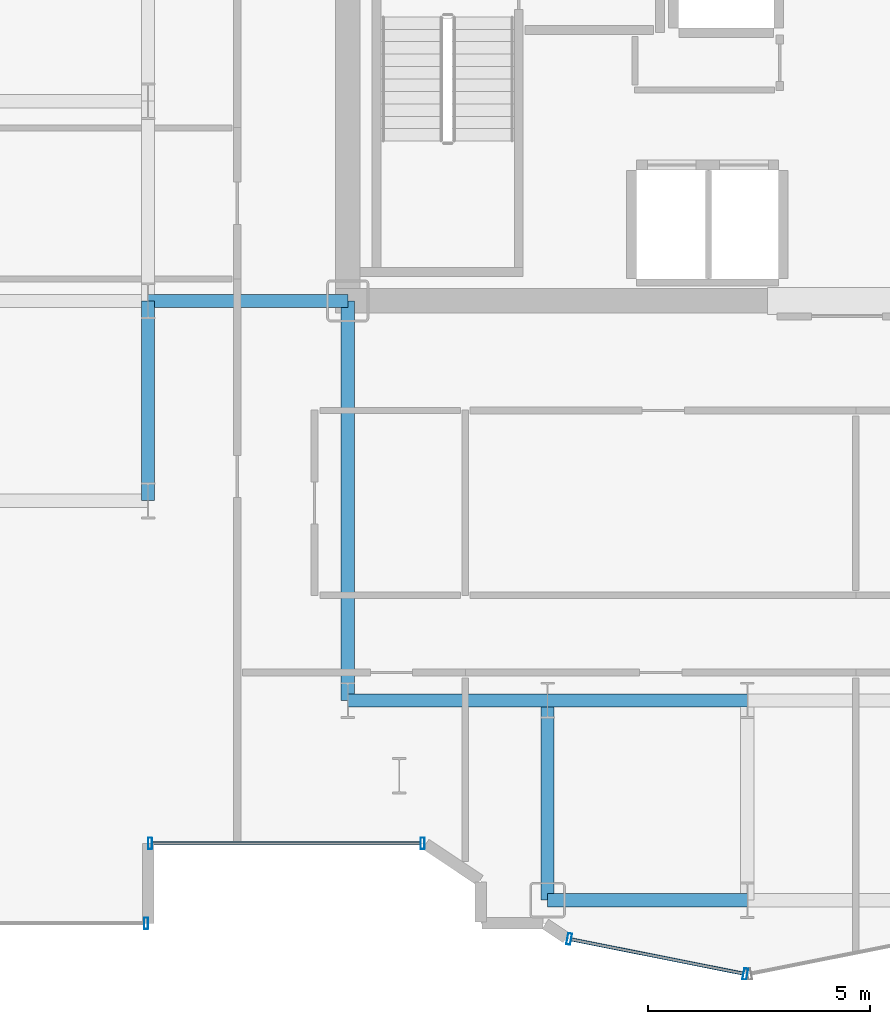
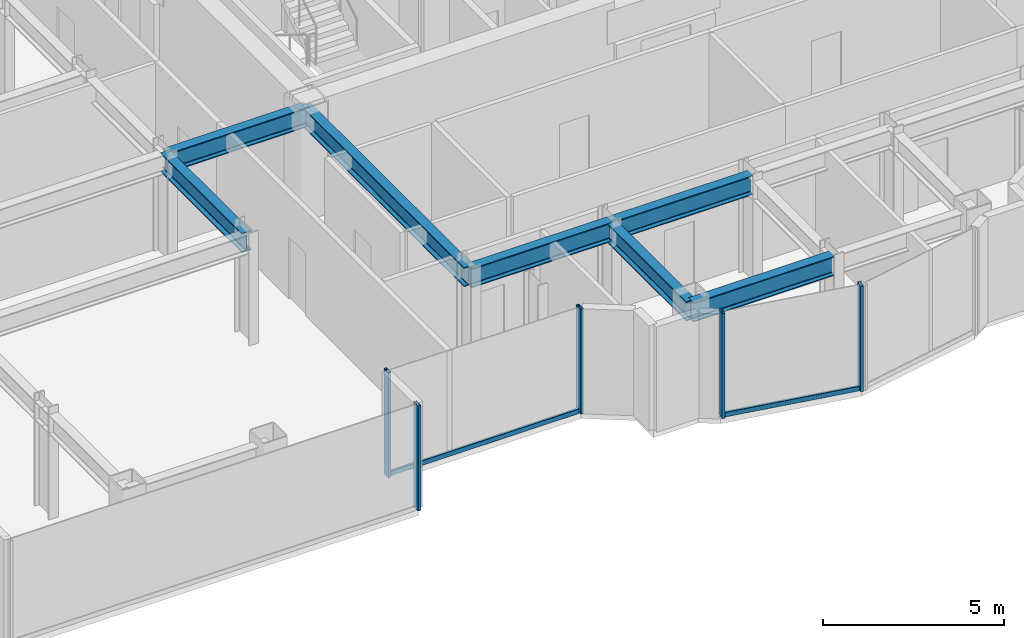
# One storey, part 5 of 26: 7 beams, 7 members, 3 elements without a shape of their own.
"""IFC4 building model written with IfcOpenShell, lengths in metres."""

from ifc_helpers import new_model, si_unit, direction, frame, origin, origin_2d, place, context, subcontext, project, spatial, hollow_rectangle, i_section, extrude, source, transform, mapped, material, layer, layer_set, material_profile, profile_set, type_object, element, aggregate, save


model = new_model("IFC4")

# Units and contexts
model_context = context("Model", 3, precision=1e-05, world=origin(), true_north=direction((0.0, 1.0)))
body_context = subcontext(model_context, "Body", "Model", "MODEL_VIEW")
ifc_project = project(units=[si_unit("LENGTHUNIT", "METRE"), si_unit("AREAUNIT", "SQUARE_METRE"), si_unit("VOLUMEUNIT", "CUBIC_METRE"), si_unit("PLANEANGLEUNIT", "RADIAN"), si_unit("MASSUNIT", "GRAM", prefix="KILO")], contexts=[model_context])

# Site, building, storey
site_placement = place(None, origin())
site = spatial("IfcSite", under=ifc_project, at=site_placement, CompositionType="ELEMENT")
building_placement = place(site_placement, origin())
building = spatial("IfcBuilding", under=site, at=building_placement, Name="Nefas-Gora Pilgrimage Tower", CompositionType="ELEMENT")
storey_placement = place(building_placement, frame((0.0, 0.0, 160.199951171875)))
storey = spatial("IfcBuildingStorey", under=building, at=storey_placement, Name="L39", CompositionType="ELEMENT", Elevation=160.199951171875)

# Beams
ifc_material_1 = material(Name="Steel S355", Category="steel")
ifc_material_profile_1 = material_profile(ifc_material_1, i_section(OverallWidth=0.300048828125, OverallDepth=0.64990234375, WebThickness=0.01611328125, FlangeThickness=0.031005859375, FilletRadius=0.027099609375, at=origin_2d()), Name="HEB 650")
ifc_profile_set_1 = profile_set([ifc_material_profile_1], Name="Steel S355")
beam_type = type_object("IfcBeamType", Name="BM-GIR-HEB650", PredefinedType="BEAM", material=ifc_profile_set_1)
shared_shape_1 = source(origin(), body_context, "Body", "SweptSolid", [
    extrude(i_section(OverallWidth=0.300048828125, OverallDepth=0.64990234375, WebThickness=0.01611328125, FlangeThickness=0.031005859375, FilletRadius=0.027099609375, at=origin_2d()), origin(), (0.0, 0.0, 1.0), 9.0),
])
beam_placement = place(storey_placement, frame((-11.25, -18.0, 3.22509765625), z_axis=(0.0, 1.0, 0.0), x_axis=(-1.0, 0.0, 0.0)))
element("IfcBeam", 1, at=beam_placement, inside=storey, type_object=beam_type, Name="L39 G-03 beam", PredefinedType="BEAM", context=body_context, shape_type="MappedRepresentation", body=[
    mapped(shared_shape_1, transform((0.0, 0.0, 0.0), x_axis=(1.0, 0.0, 0.0), y_axis=(0.0, 1.0, 0.0), z_axis=(0.0, 0.0, 1.0), scale=1.0)),
])
shared_shape_2 = source(origin(), body_context, "Body", "SweptSolid", [
    extrude(i_section(OverallWidth=0.300048828125, OverallDepth=0.64990234375, WebThickness=0.01611328125, FlangeThickness=0.031005859375, FilletRadius=0.027099609375, at=origin_2d()), origin(), (0.0, 0.0, 1.0), 4.5),
])
for number, where, z_axis, x_axis, name in (
    (2, (-15.75, -13.5, 3.22509765625), (0.0, 1.0, 0.0), (-1.0, 0.0, 0.0), "L39 G-03 beam"),
    (3, (-15.75, -9.0, 3.22509765625), (1.0, 0.0, 0.0), (0.0, 1.0, 0.0), "L39 G-03 beam"),
    (4, (-11.25, -18.0, 3.22509765625), (1.0, 0.0, 0.0), (0.0, 1.0, 0.0), "L39 G-03 beam"),
    (5, (-6.75, -22.5, 3.22509765625), (0.0, 1.0, 0.0), (-1.0, 0.0, 0.0), "L39 G-03 beam"),
    (6, (-6.75, -22.5, 3.22509765625), (1.0, 0.0, 0.0), (0.0, 1.0, 0.0), "L39 G-03 beam"),
    (7, (-6.75, -18.0, 3.22509765625), (1.0, 0.0, 0.0), (0.0, 1.0, 0.0), "L39 G-03 beam"),
):
    element("IfcBeam", number, at=place(storey_placement, frame(where, z_axis=z_axis, x_axis=x_axis)), inside=storey, type_object=beam_type, Name=name, PredefinedType="BEAM", context=body_context, shape_type="MappedRepresentation", body=[
        mapped(shared_shape_2, transform((0.0, 0.0, 0.0), x_axis=(1.0, 0.0, 0.0), y_axis=(0.0, 1.0, 0.0), z_axis=(0.0, 0.0, 1.0), scale=1.0)),
    ])

# Curtain wall, members
ifc_material_2 = material(Name="Dark ceramic-fritted solar-control aluminium-glass curtain wall", Category="aluminium")
ifc_layer_1 = layer(ifc_material_2, 0.219970703125)
ifc_layer_set_1 = layer_set([ifc_layer_1], Name="Dark ceramic-fritted solar-control aluminium-glass curtain wall")
curtain_wall_type_1 = type_object("IfcCurtainWallType", Name="CW-SYS-5", PredefinedType="NOTDEFINED", material=ifc_layer_set_1)
curtain_wall_1_placement = place(storey_placement, origin())
curtain_wall_1 = element("IfcCurtainWall", 8, at=curtain_wall_1_placement, inside=storey, type_object=curtain_wall_type_1, Name="L39 Unitised Curtain Wall CW5", PredefinedType="NOTDEFINED")
ifc_material_3 = material(Name="Anodised architectural aluminium", Category="aluminium")
ifc_material_profile_2 = material_profile(ifc_material_3, hollow_rectangle(XDim=0.090087890625, YDim=0.260009765625, WallThickness=0.006103515625, InnerFilletRadius=0.006103515625, OuterFilletRadius=0.011962890625, at=origin_2d()), Name="ALU MULLION 90x260")
ifc_profile_set_2 = profile_set([ifc_material_profile_2], Name="Anodised architectural aluminium")
member_type_1 = type_object("IfcMemberType", Name="CWM-MUL-5", PredefinedType="MULLION", material=ifc_profile_set_2)
shared_shape_3 = source(origin(), body_context, "Body", "SweptSolid", [
    extrude(hollow_rectangle(XDim=0.090087890625, YDim=0.260009765625, WallThickness=0.006103515625, InnerFilletRadius=0.006103515625, OuterFilletRadius=0.011962890625, at=origin_2d()), origin(), (0.0, 0.0, 1.0), 3.550048828125),
])
member_1_placement = place(storey_placement, frame((-15.705078125, -21.219970703125, 0.0), z_axis=(0.0, 0.0, 1.0), x_axis=(1.0, 0.0, 0.0)))
member_1 = element("IfcMember", 9, at=member_1_placement, type_object=member_type_1, Name="CW5 Mullion 1", PredefinedType="MULLION", context=body_context, shape_type="MappedRepresentation", body=[
    mapped(shared_shape_3, transform((0.0, 0.0, 0.0), x_axis=(1.0, 0.0, 0.0), y_axis=(0.0, 1.0, 0.0), z_axis=(0.0, 0.0, 1.0), scale=1.0)),
])
member_2_placement = place(storey_placement, frame((-9.56298828125, -21.219970703125, 0.0), z_axis=(0.0, 0.0, 1.0), x_axis=(1.0, 0.0, 0.0)))
member_2 = element("IfcMember", 10, at=member_2_placement, type_object=member_type_1, Name="CW5 Mullion 2", PredefinedType="MULLION", context=body_context, shape_type="MappedRepresentation", body=[
    mapped(shared_shape_3, transform((0.0, 0.0, 0.0), x_axis=(1.0, 0.0, 0.0), y_axis=(0.0, 1.0, 0.0), z_axis=(0.0, 0.0, 1.0), scale=1.0)),
])

curtain_wall_2_placement = place(storey_placement, origin())
curtain_wall_2 = element("IfcCurtainWall", 11, at=curtain_wall_2_placement, inside=storey, type_object=curtain_wall_type_1, Name="L39 Unitised Curtain Wall CW5", PredefinedType="NOTDEFINED")
member_3_placement = place(storey_placement, frame((-6.26318359375, -23.3740234375, 0.0), z_axis=(0.0, 0.0, 1.0), x_axis=(0.980782896852, -0.195102304554, 0.0)))
member_3 = element("IfcMember", 12, at=member_3_placement, type_object=member_type_1, Name="CW5 Mullion 1", PredefinedType="MULLION", context=body_context, shape_type="MappedRepresentation", body=[
    mapped(shared_shape_3, transform((0.0, 0.0, 0.0), x_axis=(1.0, 0.0, 0.0), y_axis=(0.0, 1.0, 0.0), z_axis=(0.0, 0.0, 1.0), scale=1.0)),
])
member_4_placement = place(storey_placement, frame((-2.294189453125, -24.16357421875, 0.0), z_axis=(0.0, 0.0, 1.0), x_axis=(0.980782896852, -0.195102304554, 0.0)))
member_4 = element("IfcMember", 13, at=member_4_placement, type_object=member_type_1, Name="CW5 Mullion 2", PredefinedType="MULLION", context=body_context, shape_type="MappedRepresentation", body=[
    mapped(shared_shape_3, transform((0.0, 0.0, 0.0), x_axis=(1.0, 0.0, 0.0), y_axis=(0.0, 1.0, 0.0), z_axis=(0.0, 0.0, 1.0), scale=1.0)),
])

# Member
ifc_material_profile_3 = material_profile(ifc_material_3, hollow_rectangle(XDim=0.080078125, YDim=0.159912109375, WallThickness=0.00439453125, InnerFilletRadius=0.00439453125, OuterFilletRadius=0.009033203125, at=origin_2d()), Name="ALU TRANSOM 80x160")
ifc_profile_set_3 = profile_set([ifc_material_profile_3], Name="Anodised architectural aluminium")
member_type_2 = type_object("IfcMemberType", Name="CWM-TRN-5", PredefinedType="USERDEFINED", material=ifc_profile_set_3)
shared_shape_4 = source(origin(), body_context, "Body", "SweptSolid", [
    extrude(hollow_rectangle(XDim=0.080078125, YDim=0.159912109375, WallThickness=0.00439453125, InnerFilletRadius=0.00439453125, OuterFilletRadius=0.009033203125, at=origin_2d()), origin(), (0.0, 0.0, 1.0), 6.052001953125),
])
member_5_placement = place(storey_placement, frame((-15.659912109375, -21.219970703125, 0.050048828125), z_axis=(1.0, 0.0, 0.0), x_axis=(0.0, 1.0, 0.0)))
member_5 = element("IfcMember", 14, at=member_5_placement, type_object=member_type_2, Name="CW5 Spandrel Transom", ObjectType="TRANSOM", PredefinedType="USERDEFINED", context=body_context, shape_type="MappedRepresentation", body=[
    mapped(shared_shape_4, transform((0.0, 0.0, 0.0), x_axis=(1.0, 0.0, 0.0), y_axis=(0.0, 1.0, 0.0), z_axis=(0.0, 0.0, 1.0), scale=1.0)),
])

aggregate(curtain_wall_1, [member_1, member_2, member_5])

shared_shape_5 = source(origin(), body_context, "Body", "SweptSolid", [
    extrude(hollow_rectangle(XDim=0.080078125, YDim=0.159912109375, WallThickness=0.00439453125, InnerFilletRadius=0.00439453125, OuterFilletRadius=0.009033203125, at=origin_2d()), origin(), (0.0, 0.0, 1.0), 3.95654296875),
])
member_6_placement = place(storey_placement, frame((-6.218994140625, -23.3828125, 0.050048828125), z_axis=(0.980781880918, -0.195107411605, 0.0), x_axis=(0.195107411605, 0.980781880918, 0.0)))
member_6 = element("IfcMember", 15, at=member_6_placement, type_object=member_type_2, Name="CW5 Spandrel Transom", ObjectType="TRANSOM", PredefinedType="USERDEFINED", context=body_context, shape_type="MappedRepresentation", body=[
    mapped(shared_shape_5, transform((0.0, 0.0, 0.0), x_axis=(1.0, 0.0, 0.0), y_axis=(0.0, 1.0, 0.0), z_axis=(0.0, 0.0, 1.0), scale=1.0)),
])

aggregate(curtain_wall_2, [member_3, member_4, member_6])

# Curtain wall, member
ifc_layer_2 = layer(ifc_material_2, 0.219970703125)
ifc_layer_set_2 = layer_set([ifc_layer_2], Name="Dark ceramic-fritted solar-control aluminium-glass curtain wall")
curtain_wall_type_2 = type_object("IfcCurtainWallType", Name="CW-SYS-3", PredefinedType="NOTDEFINED", material=ifc_layer_set_2)
curtain_wall_3_placement = place(storey_placement, origin())
curtain_wall_3 = element("IfcCurtainWall", 16, at=curtain_wall_3_placement, inside=storey, type_object=curtain_wall_type_2, Name="L39 Unitised Curtain Wall CW3", PredefinedType="NOTDEFINED")
ifc_material_profile_4 = material_profile(ifc_material_3, hollow_rectangle(XDim=0.090087890625, YDim=0.260009765625, WallThickness=0.006103515625, InnerFilletRadius=0.006103515625, OuterFilletRadius=0.011962890625, at=origin_2d()), Name="ALU MULLION 90x260")
ifc_profile_set_4 = profile_set([ifc_material_profile_4], Name="Anodised architectural aluminium")
member_type_3 = type_object("IfcMemberType", Name="CWM-MUL-3", PredefinedType="MULLION", material=ifc_profile_set_4)
shared_shape_6 = source(origin(), body_context, "Body", "SweptSolid", [
    extrude(hollow_rectangle(XDim=0.090087890625, YDim=0.260009765625, WallThickness=0.006103515625, InnerFilletRadius=0.006103515625, OuterFilletRadius=0.011962890625, at=origin_2d()), origin(), (0.0, 0.0, 1.0), 3.550048828125),
])
member_7_placement = place(storey_placement, frame((-15.794921875, -23.02001953125, 0.0), z_axis=(0.0, 0.0, 1.0), x_axis=(1.0, 0.0, 0.0)))
member_7 = element("IfcMember", 17, at=member_7_placement, type_object=member_type_3, Name="CW3 Mullion 2", PredefinedType="MULLION", context=body_context, shape_type="MappedRepresentation", body=[
    mapped(shared_shape_6, transform((0.0, 0.0, 0.0), x_axis=(1.0, 0.0, 0.0), y_axis=(0.0, 1.0, 0.0), z_axis=(0.0, 0.0, 1.0), scale=1.0)),
])
aggregate(curtain_wall_3, [member_7])

save(model, "model.ifc")
